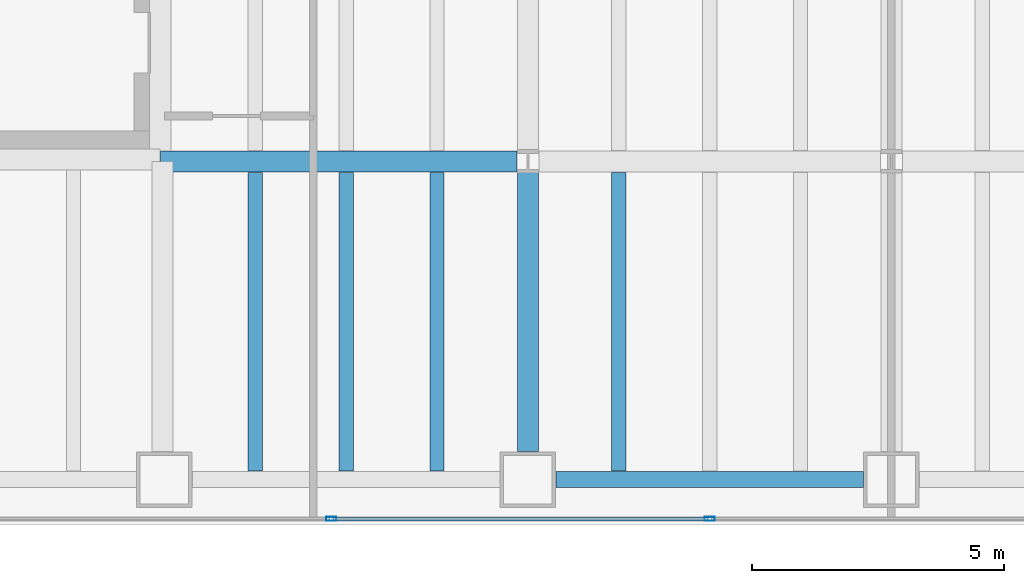
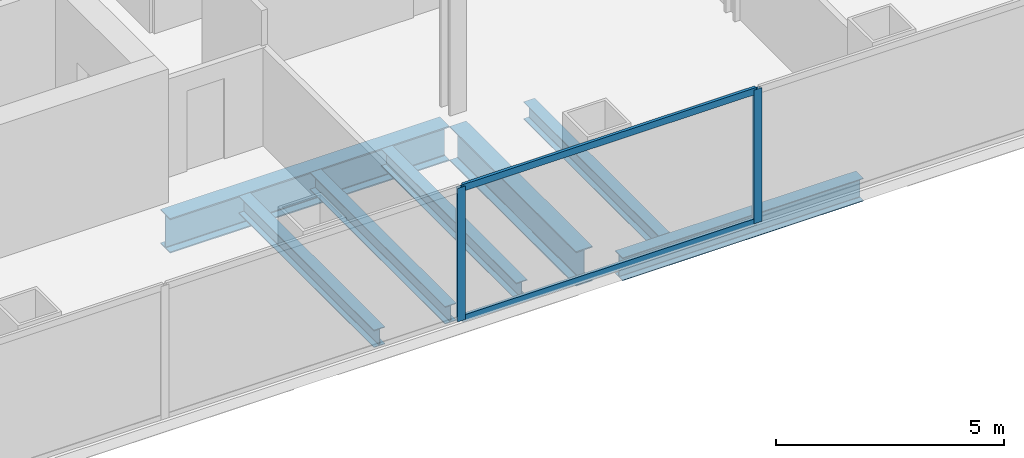
# One storey, part 4 of 25: 7 beams, 4 members, 1 element without a shape of its own.
"""IFC4 building model written with IfcOpenShell, lengths in metres."""

from ifc_helpers import new_model, si_unit, direction, frame, origin, origin_2d, place, context, subcontext, project, spatial, hollow_rectangle, i_section, extrude, material, material_profile, profile_set, type_object, element, aggregate, save


model = new_model("IFC4")

# Units and contexts
model_context = context("Model", 3, precision=1e-05, world=origin(), true_north=direction((0.0, 1.0)))
body_context = subcontext(model_context, "Body", "Model", "MODEL_VIEW")
ifc_project = project(units=[si_unit("LENGTHUNIT", "METRE"), si_unit("AREAUNIT", "SQUARE_METRE"), si_unit("VOLUMEUNIT", "CUBIC_METRE"), si_unit("PLANEANGLEUNIT", "RADIAN"), si_unit("MASSUNIT", "GRAM", prefix="KILO")], contexts=[model_context])

# Site, building, storey
site_placement = place(None, origin())
site = spatial("IfcSite", under=ifc_project, at=site_placement, CompositionType="ELEMENT")
building_placement = place(site_placement, origin())
building = spatial("IfcBuilding", under=site, at=building_placement, Name="Cobrela Telecom Tower", CompositionType="ELEMENT")
storey_placement = place(building_placement, frame((0.0, 0.0, 35.0)))
storey = spatial("IfcBuildingStorey", under=building, at=storey_placement, Name="L08", CompositionType="ELEMENT", Elevation=35.0)

# Beams
ifc_material_1 = material(Name="Steel ASTM A992 Grade 50", Category="steel")
ifc_material_profile_1 = material_profile(ifc_material_1, i_section(OverallWidth=0.4189453125, OverallDepth=0.927001953125, WebThickness=0.019287109375, FlangeThickness=0.031982421875, FilletRadius=0.02392578125, at=origin_2d()), Name="W36X231")
ifc_profile_set_1 = profile_set([ifc_material_profile_1], Name="Steel ASTM A992 Grade 50")
beam_type_1 = type_object("IfcBeamType", Name="BM-GIRD-02", PredefinedType="USERDEFINED", material=ifc_profile_set_1)
beam_1_placement = place(storey_placement, frame((14.324951171875, 7.199951171875, -0.743408203125), z_axis=(1.0, 0.0, 0.0), x_axis=(0.0, 1.0, 0.0)))
element("IfcBeam", 1, at=beam_1_placement, inside=storey, type_object=beam_type_1, Name="L08 Primary Girder X08", ObjectType="GIRDER", PredefinedType="USERDEFINED", context=body_context, shape_type="SweptSolid", body=[
    extrude(i_section(OverallWidth=0.4189453125, OverallDepth=0.927001953125, WebThickness=0.019287109375, FlangeThickness=0.031982421875, FilletRadius=0.02392578125, at=origin_2d()), origin(), (0.0, 0.0, 1.0), 7.05908203125),
])
beam_2_placement = place(storey_placement, frame((21.60009765625, 1.455078125, -0.743408203125), z_axis=(0.0, 1.0, 0.0), x_axis=(-1.0, 0.0, 0.0)))
element("IfcBeam", 2, at=beam_2_placement, inside=storey, type_object=beam_type_1, Name="L08 Primary Girder Y40", ObjectType="GIRDER", PredefinedType="USERDEFINED", context=body_context, shape_type="SweptSolid", body=[
    extrude(i_section(OverallWidth=0.4189453125, OverallDepth=0.927001953125, WebThickness=0.019287109375, FlangeThickness=0.031982421875, FilletRadius=0.02392578125, at=origin_2d()), origin(), (0.0, 0.0, 1.0), 5.52880859375),
])
ifc_material_profile_2 = material_profile(ifc_material_1, i_section(OverallWidth=0.281982421875, OverallDepth=0.467041015625, WebThickness=0.01220703125, FlangeThickness=0.01953125, FilletRadius=0.012939453125, at=origin_2d()), Name="W18X86")
ifc_profile_set_2 = profile_set([ifc_material_profile_2], Name="Steel ASTM A992 Grade 50")
beam_type_2 = type_object("IfcBeamType", Name="BM-JOIST-02", PredefinedType="JOIST", material=ifc_profile_set_2)
for number, where, z_axis, x_axis, name in (
    (3, (16.199951171875, 1.0673828125, -0.513427734375), (0.0, 1.0, 0.0), (-1.0, 0.0, 0.0), "L08 Secondary Composite Floor Beam J07"),
    (4, (18.0, 1.0673828125, -0.513427734375), (0.0, 1.0, 0.0), (-1.0, 0.0, 0.0), "L08 Secondary Composite Floor Beam J13"),
    (5, (19.800048828125, 1.0673828125, -0.513427734375), (0.0, 1.0, 0.0), (-1.0, 0.0, 0.0), "L08 Secondary Composite Floor Beam J19"),
    (6, (23.39990234375, 1.0673828125, -0.513427734375), (0.0, 1.0, 0.0), (-1.0, 0.0, 0.0), "L08 Secondary Composite Floor Beam J25"),
):
    element("IfcBeam", number, at=place(storey_placement, frame(where, z_axis=z_axis, x_axis=x_axis)), inside=storey, type_object=beam_type_2, Name=name, PredefinedType="JOIST", context=body_context, shape_type="SweptSolid", body=[
        extrude(i_section(OverallWidth=0.281982421875, OverallDepth=0.467041015625, WebThickness=0.01220703125, FlangeThickness=0.01953125, FilletRadius=0.012939453125, at=origin_2d()), origin(), (0.0, 0.0, 1.0), 5.918212890625),
    ])
ifc_material_profile_3 = material_profile(ifc_material_1, i_section(OverallWidth=0.324951171875, OverallDepth=0.612060546875, WebThickness=0.0126953125, FlangeThickness=0.01904296875, FilletRadius=0.014892578125, at=origin_2d()), Name="W24X104")
ifc_profile_set_3 = profile_set([ifc_material_profile_3], Name="Steel ASTM A992 Grade 50")
beam_type_3 = type_object("IfcBeamType", Name="BM-SPAND-02", PredefinedType="SPANDREL", material=ifc_profile_set_3)
beam_3_placement = place(storey_placement, frame((22.155029296875, 0.89990234375, -0.5859375), z_axis=(1.0, 0.0, 0.0), x_axis=(0.0, 1.0, 0.0)))
element("IfcBeam", 7, at=beam_3_placement, inside=storey, type_object=beam_type_3, Name="L08 Perimeter Spandrel X03", PredefinedType="SPANDREL", context=body_context, shape_type="SweptSolid", body=[
    extrude(i_section(OverallWidth=0.324951171875, OverallDepth=0.612060546875, WebThickness=0.0126953125, FlangeThickness=0.01904296875, FilletRadius=0.014892578125, at=origin_2d()), origin(), (0.0, 0.0, 1.0), 6.090087890625),
])

# Curtain wall, members
ifc_material_2 = material(Name="Anodized Bronze Aluminium 6063-T6", Category="aluminium")
curtain_wall_type = type_object("IfcCurtainWallType", Name="CW-SYS-DATA", PredefinedType="USERDEFINED", material=ifc_material_2)
curtain_wall_placement = place(storey_placement, origin())
curtain_wall = element("IfcCurtainWall", 8, at=curtain_wall_placement, inside=storey, type_object=curtain_wall_type, Name="L08 Unitised Bronze Curtain Wall 17", ObjectType="UNITISED CURTAIN WALL", PredefinedType="USERDEFINED")
ifc_material_profile_4 = material_profile(ifc_material_2, hollow_rectangle(XDim=0.080078125, YDim=0.199951171875, WallThickness=0.00390625, at=origin_2d()), Name="ALU 80x200x4")
ifc_profile_set_4 = profile_set([ifc_material_profile_4], Name="Anodized Bronze Aluminium 6063-T6")
member_type_1 = type_object("IfcMemberType", Name="CW-SYS-DATA-MUL", PredefinedType="MULLION", material=ifc_profile_set_4)
member_1_placement = place(storey_placement, frame((25.199951171875, 0.1201171875, 0.0), z_axis=(0.0, 0.0, 1.0), x_axis=(0.0, -1.0, 0.0)))
member_1 = element("IfcMember", 9, at=member_1_placement, type_object=member_type_1, Name="CW-DATA mullion 4", PredefinedType="MULLION", context=body_context, shape_type="SweptSolid", body=[
    extrude(hollow_rectangle(XDim=0.080078125, YDim=0.199951171875, WallThickness=0.00390625, at=origin_2d()), origin(), (0.0, 0.0, 1.0), 3.570068359375),
])
member_2_placement = place(storey_placement, frame((17.703369140625, 0.1201171875, 0.0), z_axis=(0.0, 0.0, 1.0), x_axis=(0.0, -1.0, 0.0)))
member_2 = element("IfcMember", 10, at=member_2_placement, type_object=member_type_1, Name="CW-DATA mullion 5", PredefinedType="MULLION", context=body_context, shape_type="SweptSolid", body=[
    extrude(hollow_rectangle(XDim=0.080078125, YDim=0.199951171875, WallThickness=0.00390625, at=origin_2d()), origin(), (0.0, 0.0, 1.0), 3.570068359375),
])
ifc_material_profile_5 = material_profile(ifc_material_2, hollow_rectangle(XDim=0.074951171875, YDim=0.179931640625, WallThickness=0.00390625, at=origin_2d()), Name="ALU 75x180x4")
ifc_profile_set_5 = profile_set([ifc_material_profile_5], Name="Anodized Bronze Aluminium 6063-T6")
member_type_2 = type_object("IfcMemberType", Name="CW-SYS-DATA-TRN", PredefinedType="USERDEFINED", material=ifc_profile_set_5)
member_3_placement = place(storey_placement, frame((25.159912109375, 0.1201171875, 0.03759765625), z_axis=(-1.0, 0.0, 0.0), x_axis=(0.0, -1.0, 0.0)))
member_3 = element("IfcMember", 11, at=member_3_placement, type_object=member_type_2, Name="CW-DATA transom 4.1", ObjectType="TRANSOM", PredefinedType="USERDEFINED", context=body_context, shape_type="SweptSolid", body=[
    extrude(hollow_rectangle(XDim=0.074951171875, YDim=0.179931640625, WallThickness=0.00390625, at=origin_2d()), origin(), (0.0, 0.0, 1.0), 7.41650390625),
])
member_4_placement = place(storey_placement, frame((25.159912109375, 0.1201171875, 3.532470703125), z_axis=(-1.0, 0.0, 0.0), x_axis=(0.0, -1.0, 0.0)))
member_4 = element("IfcMember", 12, at=member_4_placement, type_object=member_type_2, Name="CW-DATA transom 4.2", ObjectType="TRANSOM", PredefinedType="USERDEFINED", context=body_context, shape_type="SweptSolid", body=[
    extrude(hollow_rectangle(XDim=0.074951171875, YDim=0.179931640625, WallThickness=0.00390625, at=origin_2d()), origin(), (0.0, 0.0, 1.0), 7.41650390625),
])
aggregate(curtain_wall, [member_1, member_2, member_3, member_4])

save(model, "model.ifc")
